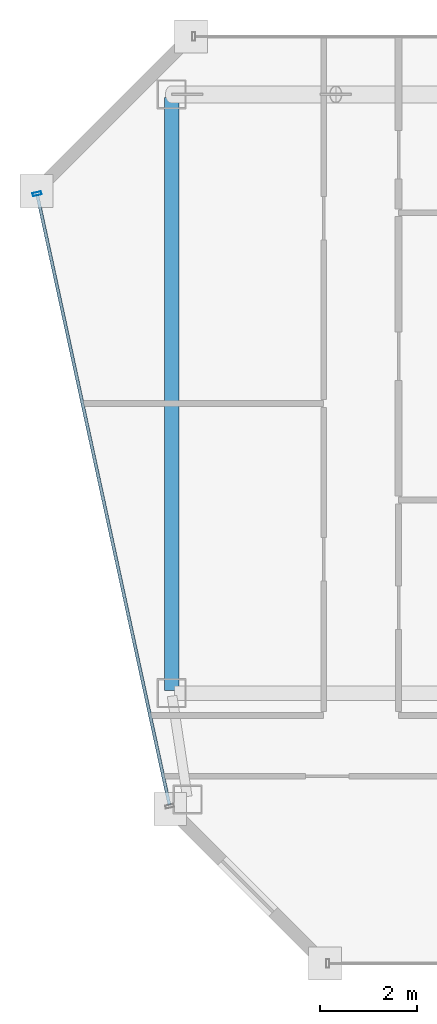
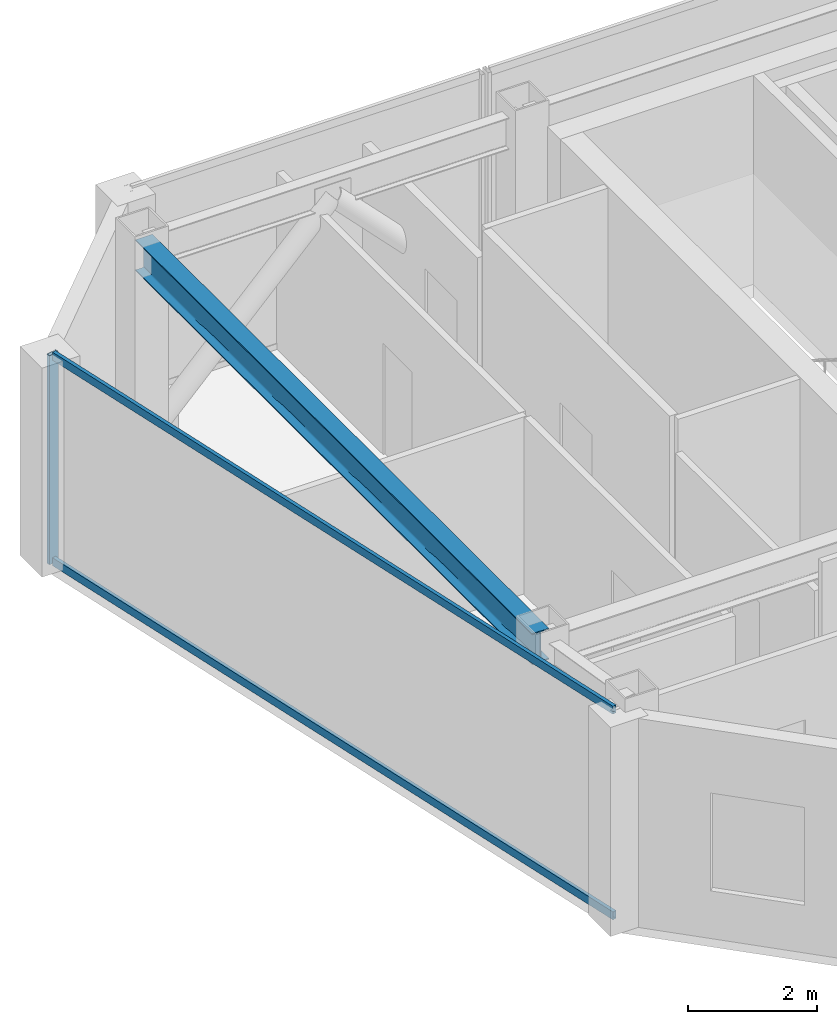
# One storey, part 3 of 20: 3 members, 1 beam, 1 element without a shape of its own.
"""IFC4 building model written with IfcOpenShell, lengths in metres."""

from ifc_helpers import new_model, si_unit, direction, frame, origin, origin_2d, place, context, subcontext, project, spatial, hollow_rectangle, i_section, extrude, material, material_profile, profile_set, type_object, element, aggregate, save


model = new_model("IFC4")

# Units and contexts
model_context = context("Model", 3, precision=1e-05, world=origin(), true_north=direction((0.0, 1.0)))
body_context = subcontext(model_context, "Body", "Model", "MODEL_VIEW")
ifc_project = project(units=[si_unit("LENGTHUNIT", "METRE"), si_unit("AREAUNIT", "SQUARE_METRE"), si_unit("VOLUMEUNIT", "CUBIC_METRE"), si_unit("PLANEANGLEUNIT", "RADIAN"), si_unit("MASSUNIT", "GRAM", prefix="KILO")], contexts=[model_context])

# Site, building, storey
site_placement = place(None, origin())
site = spatial("IfcSite", under=ifc_project, at=site_placement, CompositionType="ELEMENT")
building_placement = place(site_placement, origin())
building = spatial("IfcBuilding", under=site, at=building_placement, Name="Saevonmaru Cultural Tower", CompositionType="ELEMENT")
storey_placement = place(building_placement, frame((0.0, 0.0, 319.199951171875)))
storey = spatial("IfcBuildingStorey", under=building, at=storey_placement, Name="L76", CompositionType="ELEMENT", Elevation=319.199951171875)

# Beam
ifc_material_1 = material(Name="Steel SM355", Category="steel")
ifc_material_profile_1 = material_profile(ifc_material_1, i_section(OverallWidth=0.300048828125, OverallDepth=0.587890625, WebThickness=0.011962890625, FlangeThickness=0.02001953125, FilletRadius=0.02392578125, at=origin_2d()), Name="H-588x300x12x20")
ifc_profile_set_1 = profile_set([ifc_material_profile_1], Name="Steel SM355")
beam_type = type_object("IfcBeamType", Name="BM-G-H588", PredefinedType="BEAM", material=ifc_profile_set_1)
beam_placement = place(storey_placement, frame((6.800048828125, 54.739990234375, 3.656005859375), z_axis=(0.0, -1.0, 0.0), x_axis=(1.0, 0.0, 0.0)))
element("IfcBeam", 1, at=beam_placement, inside=storey, type_object=beam_type, Name="L76 Spine Transverse Girder W", PredefinedType="BEAM", context=body_context, shape_type="SweptSolid", body=[
    extrude(i_section(OverallWidth=0.300048828125, OverallDepth=0.587890625, WebThickness=0.011962890625, FlangeThickness=0.02001953125, FilletRadius=0.02392578125, at=origin_2d()), origin(), (0.0, 0.0, 1.0), 12.280029296875),
])

# Curtain wall, members
ifc_material_2 = material(Name="Satin Bronze Anodised Aluminium", Category="aluminium")
curtain_wall_type = type_object("IfcCurtainWallType", Name="CW-SKY-GLZ", PredefinedType="NOTDEFINED", material=ifc_material_2)
curtain_wall_placement = place(storey_placement, origin())
curtain_wall = element("IfcCurtainWall", 2, at=curtain_wall_placement, inside=storey, type_object=curtain_wall_type, Name="L76 Unitised Curtain Wall E12", PredefinedType="NOTDEFINED")
ifc_material_profile_2 = material_profile(ifc_material_2, hollow_rectangle(XDim=0.06494140625, YDim=0.179931640625, WallThickness=0.00390625, at=origin_2d()), Name="ALU-MULL-180x65x4")
ifc_profile_set_2 = profile_set([ifc_material_profile_2], Name="Satin Bronze Anodised Aluminium")
member_type_1 = type_object("IfcMemberType", Name="ML-CW-180x65", PredefinedType="MULLION", material=ifc_profile_set_2)
member_1_placement = place(storey_placement, frame((4.0126953125, 52.741455078125, 0.0), z_axis=(0.0, 0.0, 1.0), x_axis=(0.211750401587, -0.977323778196, 0.0)))
member_1 = element("IfcMember", 3, at=member_1_placement, type_object=member_type_1, Name="CW-TW-L76-E12 mullion 1", PredefinedType="MULLION", context=body_context, shape_type="SweptSolid", body=[
    extrude(hollow_rectangle(XDim=0.06494140625, YDim=0.179931640625, WallThickness=0.00390625, at=origin_2d()), origin(), (0.0, 0.0, 1.0), 3.949951171875),
])
ifc_material_profile_3 = material_profile(ifc_material_2, hollow_rectangle(XDim=0.06494140625, YDim=0.14990234375, WallThickness=0.00390625, at=origin_2d()), Name="ALU-TRAN-150x65x4")
ifc_profile_set_3 = profile_set([ifc_material_profile_3], Name="Satin Bronze Anodised Aluminium")
member_type_2 = type_object("IfcMemberType", Name="TR-CW-150x65", PredefinedType="USERDEFINED", material=ifc_profile_set_3)
member_2_placement = place(storey_placement, frame((4.01953125, 52.709716796875, 0.032470703125), z_axis=(0.211748230013, -0.977324248695, 0.0), x_axis=(0.977324248695, 0.211748230013, 0.0)))
member_2 = element("IfcMember", 4, at=member_2_placement, type_object=member_type_2, Name="CW-TW-L76-E12 transom 1.1", ObjectType="TRANSOM", PredefinedType="USERDEFINED", context=body_context, shape_type="SweptSolid", body=[
    extrude(hollow_rectangle(XDim=0.06494140625, YDim=0.14990234375, WallThickness=0.00390625, at=origin_2d()), origin(), (0.0, 0.0, 1.0), 12.912109375),
])
member_3_placement = place(storey_placement, frame((4.01953125, 52.709716796875, 3.91748046875), z_axis=(0.211748230013, -0.977324248695, 0.0), x_axis=(0.977324248695, 0.211748230013, 0.0)))
member_3 = element("IfcMember", 5, at=member_3_placement, type_object=member_type_2, Name="CW-TW-L76-E12 transom 1.2", ObjectType="TRANSOM", PredefinedType="USERDEFINED", context=body_context, shape_type="SweptSolid", body=[
    extrude(hollow_rectangle(XDim=0.06494140625, YDim=0.14990234375, WallThickness=0.00390625, at=origin_2d()), origin(), (0.0, 0.0, 1.0), 12.912109375),
])
aggregate(curtain_wall, [member_1, member_2, member_3])

save(model, "model.ifc")
